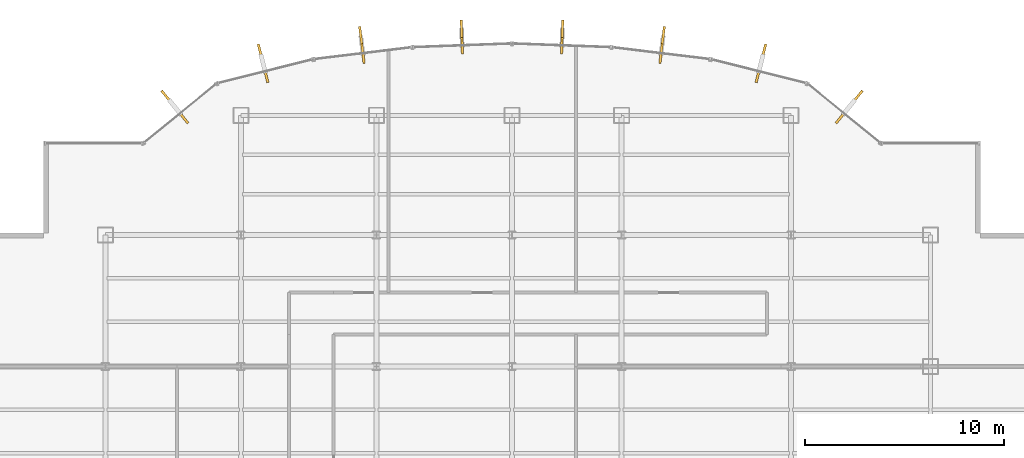
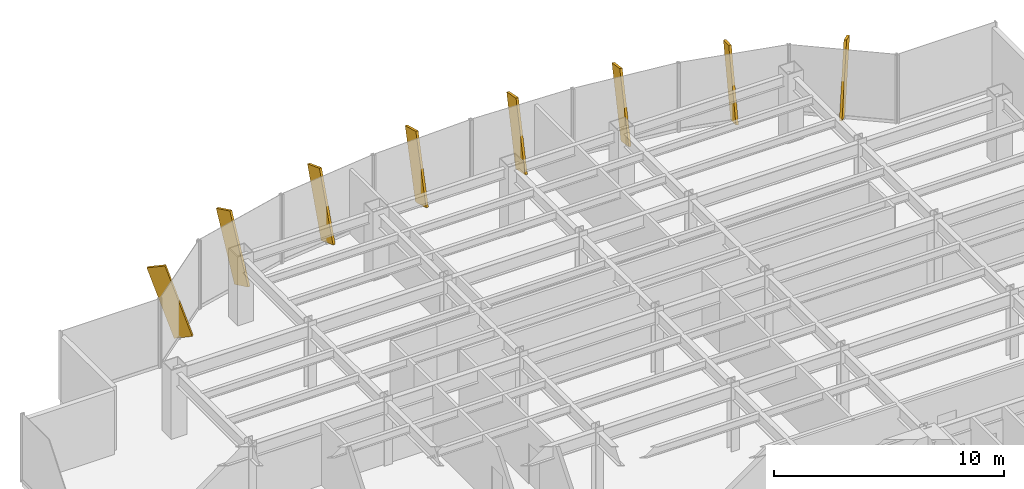
# One storey, part 25 of 26: 8 shading devices.
"""IFC4 building model written with IfcOpenShell, lengths in metres."""

from ifc_helpers import new_model, si_unit, derived_unit, direction, frame, origin, origin_2d, place, context, subcontext, project, spatial, rectangle, extrude, source, transform, mapped, material, type_object, element, save


model = new_model("IFC4")

# Units and contexts
model_context = context("Model", 3, precision=1e-05, world=origin(), true_north=direction((0.0, 1.0)))
body_context = subcontext(model_context, "Body", "Model", "MODEL_VIEW")
ifc_project = project(units=[si_unit("LENGTHUNIT", "METRE"), si_unit("AREAUNIT", "SQUARE_METRE"), si_unit("VOLUMEUNIT", "CUBIC_METRE"), si_unit("PLANEANGLEUNIT", "RADIAN"), si_unit("MASSUNIT", "GRAM", prefix="KILO"), derived_unit("THERMALTRANSMITTANCEUNIT", [(si_unit("POWERUNIT", "WATT"), 1), (si_unit("LENGTHUNIT", "METRE"), -2), (si_unit("THERMODYNAMICTEMPERATUREUNIT", "KELVIN"), -1)])], contexts=[model_context])

# Site, building, storey
site_placement = place(None, origin())
site = spatial("IfcSite", under=ifc_project, at=site_placement, CompositionType="ELEMENT")
building_placement = place(site_placement, origin())
building = spatial("IfcBuilding", under=site, at=building_placement, Name="Skarnbrae Concourse Arena and Tower", CompositionType="ELEMENT")
storey_placement = place(building_placement, frame((0.0, 0.0, 92.300048828125)))
storey = spatial("IfcBuildingStorey", under=building, at=storey_placement, Name="L22", CompositionType="ELEMENT", Elevation=92.300048828125)

# Shading devices
ifc_material = material(Name="Bronze anodised aluminium 6063-T6", Category="aluminium")
shading_device_type = type_object("IfcShadingDeviceType", Name="SHD-BRONZE-FIN-900", PredefinedType="USERDEFINED", material=ifc_material)
shared_shape = source(origin(), body_context, "Body", "SweptSolid", [
    extrude(rectangle(XDim=0.1201171875, YDim=0.89990234375, at=origin_2d()), origin(), (0.0, 0.0, 1.0), 3.64990234375),
])
for number, where, z_axis, x_axis, name in (
    (1, (44.520751953125, 40.331787109375, 0.11376953125), (0.219028888683, 0.269688051153, 0.937707150974), (0.776244501415, -0.630431974144, 0.0), "L22 Outward-leaning bronze shading fin 08"),
    (2, (40.351318359375, 42.459228515625, 0.09130859375), (0.076012091807, 0.302773374998, 0.950026549782), (0.969901771235, -0.243496517748, 0.0), "L22 Outward-leaning bronze shading fin 09"),
    (3, (35.472412109375, 43.43896484375, 0.068359375), (0.032608617628, 0.269305456037, 0.96250259709), (0.992748952377, -0.120206146079, 0.0), "L22 Outward-leaning bronze shading fin 10"),
    (4, (30.49951171875, 43.90869140625, 0.048583984375), (0.008522677185, 0.229041880827, 0.97337925846), (0.999308421355, -0.037184392011, 0.0), "L22 Outward-leaning bronze shading fin 11"),
    (5, (25.50048828125, 43.90869140625, 0.048583984375), (-0.008522677185, 0.229041880827, 0.97337925846), (0.999308421355, 0.037184392011, 0.0), "L22 Outward-leaning bronze shading fin 12"),
    (6, (20.527587890625, 43.43896484375, 0.068359375), (-0.032608617628, 0.269305456037, 0.96250259709), (0.992748952377, 0.120206146079, 0.0), "L22 Outward-leaning bronze shading fin 13"),
    (7, (15.648681640625, 42.459228515625, 0.09130859375), (-0.076012091807, 0.302773374998, 0.950026549782), (0.969901771235, 0.243496517748, 0.0), "L22 Outward-leaning bronze shading fin 14"),
    (8, (11.479248046875, 40.331787109375, 0.11376953125), (-0.219028888683, 0.269688051153, 0.937707150974), (0.776244501415, 0.630431974144, 0.0), "L22 Outward-leaning bronze shading fin 15"),
):
    element("IfcShadingDevice", number, at=place(storey_placement, frame(where, z_axis=z_axis, x_axis=x_axis)), inside=storey, type_object=shading_device_type, Name=name, ObjectType="FIN", PredefinedType="USERDEFINED", context=body_context, shape_type="MappedRepresentation", body=[
        mapped(shared_shape, transform((0.0, 0.0, 0.0))),
    ])

save(model, "model.ifc")
